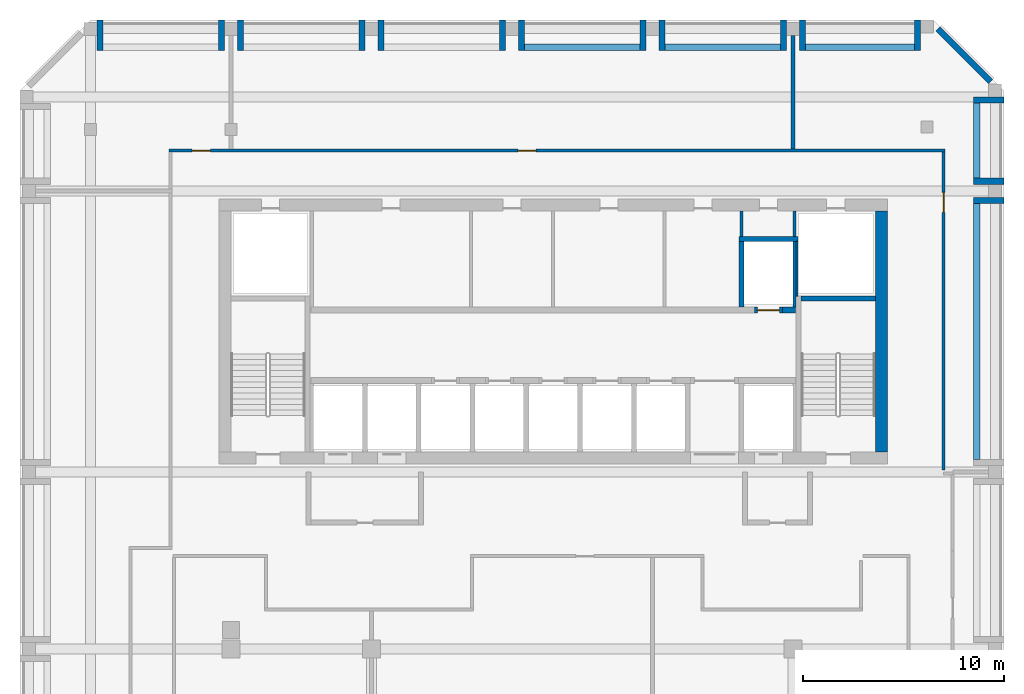
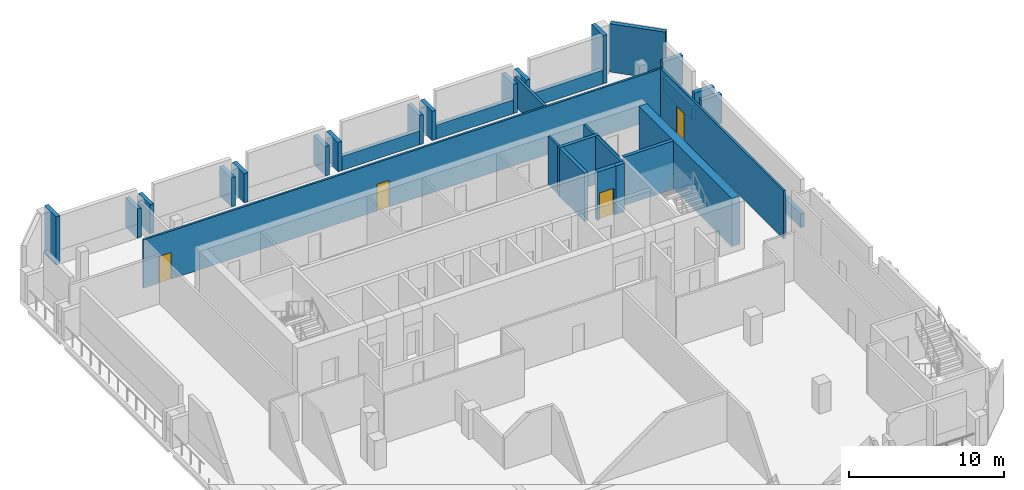
# One storey, part 5 of 7: 34 walls, 4 doors, 4 openings.
"""IFC4 building model written with IfcOpenShell, lengths in metres."""

from ifc_helpers import new_model, si_unit, direction, frame, frame_2d, origin, place, context, subcontext, project, spatial, rectangle, extrude, source, transform, mapped, material, layer, layer_set, type_object, element, fill, save


model = new_model("IFC4")

# Units and contexts
model_context = context("Model", 3, precision=1e-05, world=origin(), true_north=direction((0.0, 1.0)))
body_context = subcontext(model_context, "Body", "Model", "MODEL_VIEW")
ifc_project = project(units=[si_unit("LENGTHUNIT", "METRE"), si_unit("AREAUNIT", "SQUARE_METRE"), si_unit("VOLUMEUNIT", "CUBIC_METRE"), si_unit("PLANEANGLEUNIT", "RADIAN"), si_unit("MASSUNIT", "GRAM", prefix="KILO")], contexts=[model_context])

# Site, building, storey
site_placement = place(None, origin())
site = spatial("IfcSite", under=ifc_project, at=site_placement, CompositionType="ELEMENT")
building_placement = place(site_placement, origin())
building = spatial("IfcBuilding", under=site, at=building_placement, Name="Kilnfold Tower and Market Hall", CompositionType="ELEMENT")
storey_placement = place(building_placement, frame((0.0, 0.0, 290.800048828125)))
storey = spatial("IfcBuildingStorey", under=building, at=storey_placement, Name="L72 Plant Transfer Level", CompositionType="ELEMENT", Elevation=290.800048828125)

# Wall, opening, door
ifc_material_1 = material(Name="Gypsum board on steel studs", Category="steel")
ifc_layer_1 = layer(ifc_material_1, 0.14990234375)
ifc_layer_set_1 = layer_set([ifc_layer_1], Name="Gypsum board on steel studs")
wall_type_1 = type_object("IfcWallType", Name="WALL CORRIDOR 150", PredefinedType="PARTITIONING", material=ifc_layer_set_1)
wall_1_placement = place(storey_placement, frame((20.5, 8.090087890625, 0.0), z_axis=(0.0, 0.0, 1.0), x_axis=(0.0, 1.0, 0.0)))
wall_1 = element("IfcWall", 1, at=wall_1_placement, inside=storey, type_object=wall_type_1, Name="Partition LY44.22", PredefinedType="PARTITIONING", context=body_context, shape_type="SweptSolid", body=[
    extrude(rectangle(XDim=15.8349609375, YDim=0.14990234375, at=frame_2d((7.91748046875, 0.0))), origin(), (0.0, 0.0, 1.0), 3.800048828125),
])
opening_1_placement = place(wall_1_placement, frame((12.8310546875, 0.0, 0.0)))
opening_1 = element("IfcOpeningElement", 2, at=opening_1_placement, cuts=wall_1, Name="Opening D4", PredefinedType="OPENING", context=body_context, shape_type="SweptSolid", body=[
    extrude(rectangle(XDim=1.0, YDim=2.10009765625, at=frame_2d((0.5, 1.050048828125))), frame((0.0, 0.0849609375, 0.0), z_axis=(0.0, -1.0, 0.0), x_axis=(1.0, 0.0, 0.0)), (0.0, 0.0, 1.0), 0.169921875),
])
ifc_material_2 = material(Name="Timber veneer door leaf in steel frame", Category="steel")
door_type_1 = type_object("IfcDoorType", Name="DOOR SERVICE 1000 X2100", OperationType="NOTDEFINED", PredefinedType="DOOR", material=ifc_material_2)
door_1_placement = place(opening_1_placement, origin())
door_1 = element("IfcDoor", 3, at=door_1_placement, inside=storey, type_object=door_type_1, Name="Door D4", OperationType="SINGLE_SWING_LEFT", OverallHeight=2.10009765625, OverallWidth=1.0, PredefinedType="DOOR", context=body_context, shape_type="SweptSolid", body=[
    extrude(rectangle(XDim=1.0, YDim=2.10009765625, at=frame_2d((0.5, 1.050048828125))), frame((0.0, 0.02490234375, 0.0), z_axis=(0.0, -1.0, 0.0), x_axis=(1.0, 0.0, 0.0)), (0.0, 0.0, 1.0), 0.050048828125),
])
fill(opening_1, door_1)

# Wall, openings, doors
wall_2_placement = place(storey_placement, frame((-18.074951171875, 24.0, 0.0), z_axis=(0.0, 0.0, 1.0), x_axis=(1.0, 0.0, 0.0)))
wall_2 = element("IfcWall", 4, at=wall_2_placement, inside=storey, type_object=wall_type_1, Name="Partition LY44.24", PredefinedType="PARTITIONING", context=body_context, shape_type="SweptSolid", body=[
    extrude(rectangle(XDim=38.64990234375, YDim=0.14990234375, at=frame_2d((19.324951171875, 0.0))), origin(), (0.0, 0.0, 1.0), 3.800048828125),
])
opening_2_placement = place(wall_2_placement, frame((1.14501953125, 0.0, 0.0)))
opening_2 = element("IfcOpeningElement", 5, at=opening_2_placement, cuts=wall_2, Name="Opening D2", PredefinedType="OPENING", context=body_context, shape_type="SweptSolid", body=[
    extrude(rectangle(XDim=0.89990234375, YDim=2.10009765625, at=frame_2d((0.449951171875, 1.050048828125))), frame((0.0, 0.0849609375, 0.0), z_axis=(0.0, -1.0, 0.0), x_axis=(1.0, 0.0, 0.0)), (0.0, 0.0, 1.0), 0.169921875),
])
opening_3_placement = place(wall_2_placement, frame((17.3759765625, 0.0, 0.0)))
opening_3 = element("IfcOpeningElement", 6, at=opening_3_placement, cuts=wall_2, Name="Opening D2", PredefinedType="OPENING", context=body_context, shape_type="SweptSolid", body=[
    extrude(rectangle(XDim=0.89990234375, YDim=2.10009765625, at=frame_2d((0.449951171875, 1.050048828125))), frame((0.0, 0.0849609375, 0.0), z_axis=(0.0, -1.0, 0.0), x_axis=(1.0, 0.0, 0.0)), (0.0, 0.0, 1.0), 0.169921875),
])
ifc_material_3 = material(Name="Timber veneer door leaf in steel frame", Category="steel")
door_type_2 = type_object("IfcDoorType", Name="DOOR ROOM 900 X2100", OperationType="NOTDEFINED", PredefinedType="DOOR", material=ifc_material_3)
door_2_placement = place(opening_2_placement, origin())
door_2 = element("IfcDoor", 7, at=door_2_placement, inside=storey, type_object=door_type_2, Name="Door D2", OperationType="SINGLE_SWING_LEFT", OverallHeight=2.10009765625, OverallWidth=0.89990234375, PredefinedType="DOOR", context=body_context, shape_type="SweptSolid", body=[
    extrude(rectangle(XDim=0.89990234375, YDim=2.10009765625, at=frame_2d((0.449951171875, 1.050048828125))), frame((0.0, 0.02490234375, 0.0), z_axis=(0.0, -1.0, 0.0), x_axis=(1.0, 0.0, 0.0)), (0.0, 0.0, 1.0), 0.050048828125),
])
fill(opening_2, door_2)
door_3_placement = place(opening_3_placement, origin())
door_3 = element("IfcDoor", 8, at=door_3_placement, inside=storey, type_object=door_type_2, Name="Door D2", OperationType="SINGLE_SWING_LEFT", OverallHeight=2.10009765625, OverallWidth=0.89990234375, PredefinedType="DOOR", context=body_context, shape_type="SweptSolid", body=[
    extrude(rectangle(XDim=0.89990234375, YDim=2.10009765625, at=frame_2d((0.449951171875, 1.050048828125))), frame((0.0, 0.02490234375, 0.0), z_axis=(0.0, -1.0, 0.0), x_axis=(1.0, 0.0, 0.0)), (0.0, 0.0, 1.0), 0.050048828125),
])
fill(opening_3, door_3)

# Walls
ifc_material_4 = material(Name="Gypsum board on steel studs", Category="steel")
ifc_layer_2 = layer(ifc_material_4, 0.199951171875)
ifc_layer_set_2 = layer_set([ifc_layer_2], Name="Gypsum board on steel studs")
wall_type_2 = type_object("IfcWallType", Name="WALL PARTY 200", PredefinedType="PARTITIONING", material=ifc_layer_set_2)
wall_3_placement = place(storey_placement, frame((13.0, 29.72509765625, 0.0), z_axis=(0.0, 0.0, 1.0), x_axis=(0.0, -1.0, 0.0)))
element("IfcWall", 9, at=wall_3_placement, inside=storey, type_object=wall_type_2, Name="Partition LY44.37", PredefinedType="PARTITIONING", context=body_context, shape_type="SweptSolid", body=[
    extrude(rectangle(XDim=5.648193359375, YDim=0.199951171875, at=frame_2d((2.82421875, 0.0))), origin(), (0.0, 0.0, 1.0), 2.300048828125),
])
ifc_material_5 = material(Name="Concrete C50", Category="concrete")
ifc_layer_3 = layer(ifc_material_5, 0.25)
ifc_layer_set_3 = layer_set([ifc_layer_3], Name="Concrete C50")
wall_type_3 = type_object("IfcWallType", Name="CORE WALL 250 C50", PredefinedType="SHEAR", material=ifc_layer_set_3)
shared_shape_1 = source(origin(), body_context, "Body", "SweptSolid", [
    extrude(rectangle(XDim=3.7001953125, YDim=0.25, at=frame_2d((1.85009765625, 0.0))), origin(), (0.0, 0.0, 1.0), 3.800048828125),
])
wall_4_placement = place(storey_placement, frame((13.39990234375, 16.625, 0.0), z_axis=(0.0, 0.0, 1.0), x_axis=(1.0, 0.0, 0.0)))
element("IfcWall", 10, at=wall_4_placement, inside=storey, type_object=wall_type_3, Name="Stair enclosure ST2", PredefinedType="SHEAR", context=body_context, shape_type="MappedRepresentation", body=[
    mapped(shared_shape_1, transform((0.0, 0.0, 0.0))),
])
ifc_material_6 = material(Name="Concrete C50", Category="concrete")
ifc_layer_4 = layer(ifc_material_6, 0.300048828125)
ifc_layer_set_4 = layer_set([ifc_layer_4], Name="Concrete C50")
wall_type_4 = type_object("IfcWallType", Name="CORE WALL 300 C50", PredefinedType="SHEAR", material=ifc_layer_set_4)
shared_shape_2 = source(origin(), body_context, "Body", "SweptSolid", [
    extrude(rectangle(XDim=0.64013671875, YDim=0.300048828125, at=frame_2d((0.320068359375, 0.0))), origin(), (0.0, 0.0, 1.0), 3.800048828125),
])
wall_5_placement = place(storey_placement, frame((12.469970703125, 16.050048828125, 0.0), z_axis=(0.0, 0.0, 1.0), x_axis=(1.0, 0.0, 0.0)))
element("IfcWall", 11, at=wall_5_placement, inside=storey, type_object=wall_type_4, Name="Core spine wall", PredefinedType="SHEAR", context=body_context, shape_type="MappedRepresentation", body=[
    mapped(shared_shape_2, transform((0.0, 0.0, 0.0))),
])
ifc_material_7 = material(Name="Concrete C50", Category="concrete")
ifc_layer_5 = layer(ifc_material_7, 0.60009765625)
ifc_layer_set_5 = layer_set([ifc_layer_5], Name="Concrete C50")
wall_type_5 = type_object("IfcWallType", Name="CORE WALL 600 C50", PredefinedType="SHEAR", material=ifc_layer_set_5)
shared_shape_3 = source(origin(), body_context, "Body", "SweptSolid", [
    extrude(rectangle(XDim=12.0, YDim=0.60009765625, at=frame_2d((6.0, 0.0))), origin(), (0.0, 0.0, 1.0), 3.800048828125),
])
wall_6_placement = place(storey_placement, frame((17.39990234375, 9.0, 0.0), z_axis=(0.0, 0.0, 1.0), x_axis=(0.0, 1.0, 0.0)))
element("IfcWall", 12, at=wall_6_placement, inside=storey, type_object=wall_type_5, Name="Core outer wall east", PredefinedType="SHEAR", context=body_context, shape_type="MappedRepresentation", body=[
    mapped(shared_shape_3, transform((0.0, 0.0, 0.0))),
])
ifc_material_8 = material(Name="Precast concrete C50/60", Category="concrete")
ifc_layer_6 = layer(ifc_material_8, 0.300048828125)
ifc_layer_set_6 = layer_set([ifc_layer_6], Name="Precast concrete C50/60")
wall_type_6 = type_object("IfcWallType", Name="PRECAST WALL 300", PredefinedType="SOLIDWALL", material=ifc_layer_set_6)
shared_shape_4 = source(origin(), body_context, "Body", "SweptSolid", [
    extrude(rectangle(XDim=1.5, YDim=0.300048828125, at=frame_2d((0.75, 0.0))), origin(), (0.0, 0.0, 1.0), 2.300048828125),
])
for number, where, z_axis, x_axis, name in (
    (13, (23.5, 21.52490234375, 0.0), (0.0, 0.0, 1.0), (-1.0, 0.0, 0.0), "Plant wall L72 E"),
    (14, (23.5, 22.47509765625, 0.0), (0.0, 0.0, 1.0), (-1.0, 0.0, 0.0), "Plant wall L72 E"),
    (15, (23.5, 26.52490234375, 0.0), (0.0, 0.0, 1.0), (-1.0, 0.0, 0.0), "Plant wall L72 E"),
    (16, (13.47509765625, 30.5, 0.0), (0.0, 0.0, 1.0), (0.0, -1.0, 0.0), "Plant wall L72 N"),
    (17, (12.52490234375, 30.5, 0.0), (0.0, 0.0, 1.0), (0.0, -1.0, 0.0), "Plant wall L72 N"),
    (18, (6.47509765625, 30.5, 0.0), (0.0, 0.0, 1.0), (0.0, -1.0, 0.0), "Plant wall L72 N"),
    (19, (5.52490234375, 30.5, 0.0), (0.0, 0.0, 1.0), (0.0, -1.0, 0.0), "Plant wall L72 N"),
    (20, (-0.52490234375, 30.5, 0.0), (0.0, 0.0, 1.0), (0.0, -1.0, 0.0), "Plant wall L72 N"),
    (21, (-1.47509765625, 30.5, 0.0), (0.0, 0.0, 1.0), (0.0, -1.0, 0.0), "Plant wall L72 N"),
    (22, (-7.52490234375, 30.5, 0.0), (0.0, 0.0, 1.0), (0.0, -1.0, 0.0), "Plant wall L72 N"),
    (23, (-8.47509765625, 30.5, 0.0), (0.0, 0.0, 1.0), (0.0, -1.0, 0.0), "Plant wall L72 N"),
    (24, (-14.52490234375, 30.5, 0.0), (0.0, 0.0, 1.0), (0.0, -1.0, 0.0), "Plant wall L72 N"),
    (25, (-15.47509765625, 30.5, 0.0), (0.0, 0.0, 1.0), (0.0, -1.0, 0.0), "Plant wall L72 N"),
):
    element("IfcWall", number, at=place(storey_placement, frame(where, z_axis=z_axis, x_axis=x_axis)), inside=storey, type_object=wall_type_6, Name=name, PredefinedType="SOLIDWALL", context=body_context, shape_type="MappedRepresentation", body=[
        mapped(shared_shape_4, transform((0.0, 0.0, 0.0))),
    ])
shared_shape_5 = source(origin(), body_context, "Body", "SweptSolid", [
    extrude(rectangle(XDim=1.5, YDim=0.300048828125, at=frame_2d((0.75, 0.0))), origin(), (0.0, 0.0, 1.0), 3.800048828125),
])
for number, where, z_axis, x_axis, name in (
    (26, (19.206787109375, 30.5, 0.0), (0.0, 0.0, 1.0), (0.0, -1.0, 0.0), "Plant wall L72 N"),
    (27, (-21.52490234375, 30.5, 0.0), (0.0, 0.0, 1.0), (0.0, -1.0, 0.0), "Plant wall L72 N"),
):
    element("IfcWall", number, at=place(storey_placement, frame(where, z_axis=z_axis, x_axis=x_axis)), inside=storey, type_object=wall_type_6, Name=name, PredefinedType="SOLIDWALL", context=body_context, shape_type="MappedRepresentation", body=[
        mapped(shared_shape_5, transform((0.0, 0.0, 0.0))),
    ])
shared_shape_6 = source(origin(), body_context, "Body", "SweptSolid", [
    extrude(rectangle(XDim=5.75, YDim=0.300048828125, at=frame_2d((2.875, 0.0))), origin(), (0.0, 0.0, 1.0), 1.099853515625),
])
for number, where, z_axis, x_axis, name in (
    (28, (12.375, 29.14990234375, 0.0), (0.0, 0.0, 1.0), (-1.0, 0.0, 0.0), "Knee wall L72 N"),
    (29, (5.375, 29.14990234375, 0.0), (0.0, 0.0, 1.0), (-1.0, 0.0, 0.0), "Knee wall L72 N"),
):
    element("IfcWall", number, at=place(storey_placement, frame(where, z_axis=z_axis, x_axis=x_axis)), inside=storey, type_object=wall_type_6, Name=name, PredefinedType="SOLIDWALL", context=body_context, shape_type="MappedRepresentation", body=[
        mapped(shared_shape_6, transform((0.0, 0.0, 0.0))),
    ])
shared_shape_7 = source(origin(), body_context, "Body", "SweptSolid", [
    extrude(rectangle(XDim=12.75, YDim=0.300048828125, at=frame_2d((6.375, 0.0))), origin(), (0.0, 0.0, 1.0), 1.099853515625),
])
wall_7_placement = place(storey_placement, frame((22.14990234375, 8.625, 0.0), z_axis=(0.0, 0.0, 1.0), x_axis=(0.0, 1.0, 0.0)))
element("IfcWall", 30, at=wall_7_placement, inside=storey, type_object=wall_type_6, Name="Knee wall L72 E", PredefinedType="SOLIDWALL", context=body_context, shape_type="MappedRepresentation", body=[
    mapped(shared_shape_7, transform((0.0, 0.0, 0.0))),
])
shared_shape_8 = source(origin(), body_context, "Body", "SweptSolid", [
    extrude(rectangle(XDim=3.75, YDim=0.300048828125, at=frame_2d((1.875, 0.0))), origin(), (0.0, 0.0, 1.0), 1.099853515625),
])
wall_8_placement = place(storey_placement, frame((22.14990234375, 22.625, 0.0), z_axis=(0.0, 0.0, 1.0), x_axis=(0.0, 1.0, 0.0)))
element("IfcWall", 31, at=wall_8_placement, inside=storey, type_object=wall_type_6, Name="Knee wall L72 E", PredefinedType="SOLIDWALL", context=body_context, shape_type="MappedRepresentation", body=[
    mapped(shared_shape_8, transform((0.0, 0.0, 0.0))),
])
shared_shape_9 = source(origin(), body_context, "Body", "SweptSolid", [
    extrude(rectangle(XDim=3.71240234375, YDim=0.300048828125, at=frame_2d((1.856201171875, 0.0))), origin(), (0.0, 0.0, 1.0), 3.800048828125),
])
wall_9_placement = place(storey_placement, frame((22.843994140625, 27.44384765625, 0.0), z_axis=(0.0, 0.0, 1.0), x_axis=(-0.707106781187, 0.707106781187, 0.0)))
element("IfcWall", 32, at=wall_9_placement, inside=storey, type_object=wall_type_6, Name="Plant wall L72 NE", PredefinedType="SOLIDWALL", context=body_context, shape_type="MappedRepresentation", body=[
    mapped(shared_shape_9, transform((0.0, 0.0, 0.0))),
])
shared_shape_10 = source(origin(), body_context, "Body", "SweptSolid", [
    extrude(rectangle(XDim=5.431884765625, YDim=0.300048828125, at=frame_2d((2.7158203125, 0.0))), origin(), (0.0, 0.0, 1.0), 1.099853515625),
])
wall_10_placement = place(storey_placement, frame((19.056884765625, 29.14990234375, 0.0), z_axis=(0.0, 0.0, 1.0), x_axis=(-1.0, 0.0, 0.0)))
element("IfcWall", 33, at=wall_10_placement, inside=storey, type_object=wall_type_6, Name="Knee wall L72 N", PredefinedType="SOLIDWALL", context=body_context, shape_type="MappedRepresentation", body=[
    mapped(shared_shape_10, transform((0.0, 0.0, 0.0))),
])

# Wall, opening, door
ifc_material_9 = material(Name="Gypsum shaft wall system")
ifc_layer_7 = layer(ifc_material_9, 0.300048828125)
ifc_layer_set_7 = layer_set([ifc_layer_7], Name="Gypsum shaft wall system")
wall_type_7 = type_object("IfcWallType", Name="SHAFT WALL 300", PredefinedType="PARTITIONING", material=ifc_layer_set_7)
shared_shape_11 = source(origin(), body_context, "Body", "SweptSolid", [
    extrude(rectangle(XDim=1.39990234375, YDim=0.300048828125, at=frame_2d((0.699951171875, 0.0))), origin(), (0.0, 0.0, 1.0), 3.800048828125),
])
wall_11_placement = place(storey_placement, frame((11.070068359375, 16.050048828125, 0.0), z_axis=(0.0, 0.0, 1.0), x_axis=(1.0, 0.0, 0.0)))
wall_11 = element("IfcWall", 34, at=wall_11_placement, inside=storey, type_object=wall_type_7, Name="Lift shaft front wall", PredefinedType="PARTITIONING", context=body_context, shape_type="MappedRepresentation", body=[
    mapped(shared_shape_11, transform((0.0, 0.0, 0.0))),
])
opening_4_placement = place(wall_11_placement, frame((0.14990234375, 0.0, 0.0)))
opening_4 = element("IfcOpeningElement", 35, at=opening_4_placement, cuts=wall_11, Name="Opening LD2", PredefinedType="OPENING", context=body_context, shape_type="SweptSolid", body=[
    extrude(rectangle(XDim=1.10009765625, YDim=2.10009765625, at=frame_2d((0.550048828125, 1.050048828125))), frame((0.0, 0.16015625, 0.0), z_axis=(0.0, -1.0, 0.0), x_axis=(1.0, 0.0, 0.0)), (0.0, 0.0, 1.0), 0.320068359375),
])
ifc_material_10 = material(Name="Steel door set with fire-resisting leaf", Category="steel")
door_type_3 = type_object("IfcDoorType", Name="LANDING DOOR 1100X2100", OperationType="NOTDEFINED", PredefinedType="DOOR", material=ifc_material_10)
door_4_placement = place(opening_4_placement, origin())
door_4 = element("IfcDoor", 36, at=door_4_placement, inside=storey, type_object=door_type_3, Name="Landing door HR6", OperationType="DOUBLE_DOOR_SLIDING", OverallHeight=2.10009765625, OverallWidth=1.10009765625, PredefinedType="DOOR", context=body_context, shape_type="SweptSolid", body=[
    extrude(rectangle(XDim=1.10009765625, YDim=2.10009765625, at=frame_2d((0.550048828125, 1.050048828125))), frame((0.0, 0.02490234375, 0.0), z_axis=(0.0, -1.0, 0.0), x_axis=(1.0, 0.0, 0.0)), (0.0, 0.0, 1.0), 0.050048828125),
])
fill(opening_4, door_4)

# Walls
ifc_material_11 = material(Name="Gypsum shaft wall system")
ifc_layer_8 = layer(ifc_material_11, 0.1650390625)
ifc_layer_set_8 = layer_set([ifc_layer_8], Name="Gypsum shaft wall system")
wall_type_8 = type_object("IfcWallType", Name="SHAFT WALL 165", PredefinedType="PARTITIONING", material=ifc_layer_set_8)
shared_shape_12 = source(origin(), body_context, "Body", "SweptSolid", [
    extrude(rectangle(XDim=3.275146484375, YDim=0.1650390625, at=frame_2d((1.6376953125, 0.0))), origin(), (0.0, 0.0, 1.0), 3.800048828125),
])
wall_12_placement = place(storey_placement, frame((13.0673828125, 16.199951171875, 0.0), z_axis=(0.0, 0.0, 1.0), x_axis=(0.0, 1.0, 0.0)))
element("IfcWall", 37, at=wall_12_placement, inside=storey, type_object=wall_type_8, Name="Lift shaft wall", PredefinedType="PARTITIONING", context=body_context, shape_type="MappedRepresentation", body=[
    mapped(shared_shape_12, transform((0.0, 0.0, 0.0))),
])
shared_shape_13 = source(origin(), body_context, "Body", "SweptSolid", [
    extrude(rectangle(XDim=1.27490234375, YDim=0.1650390625, at=frame_2d((0.637451171875, 0.0))), origin(), (0.0, 0.0, 1.0), 3.800048828125),
])
wall_13_placement = place(storey_placement, frame((13.0673828125, 19.72509765625, 0.0), z_axis=(0.0, 0.0, 1.0), x_axis=(0.0, 1.0, 0.0)))
element("IfcWall", 38, at=wall_13_placement, inside=storey, type_object=wall_type_8, Name="Lift shaft wall", PredefinedType="PARTITIONING", context=body_context, shape_type="MappedRepresentation", body=[
    mapped(shared_shape_13, transform((0.0, 0.0, 0.0))),
])
ifc_material_12 = material(Name="Gypsum shaft wall system")
ifc_layer_9 = layer(ifc_material_12, 0.25)
ifc_layer_set_9 = layer_set([ifc_layer_9], Name="Gypsum shaft wall system")
wall_type_9 = type_object("IfcWallType", Name="SHAFT WALL 250", PredefinedType="PARTITIONING", material=ifc_layer_set_9)
shared_shape_14 = source(origin(), body_context, "Body", "SweptSolid", [
    extrude(rectangle(XDim=3.275146484375, YDim=0.25, at=frame_2d((1.6376953125, 0.0))), origin(), (0.0, 0.0, 1.0), 3.800048828125),
])
wall_14_placement = place(storey_placement, frame((10.429931640625, 16.199951171875, 0.0), z_axis=(0.0, 0.0, 1.0), x_axis=(0.0, 1.0, 0.0)))
element("IfcWall", 39, at=wall_14_placement, inside=storey, type_object=wall_type_9, Name="Lift shaft wall", PredefinedType="PARTITIONING", context=body_context, shape_type="MappedRepresentation", body=[
    mapped(shared_shape_14, transform((0.0, 0.0, 0.0))),
])
ifc_material_13 = material(Name="Gypsum shaft wall system")
ifc_layer_10 = layer(ifc_material_13, 0.0849609375)
ifc_layer_set_10 = layer_set([ifc_layer_10], Name="Gypsum shaft wall system")
wall_type_10 = type_object("IfcWallType", Name="SHAFT WALL 85", PredefinedType="PARTITIONING", material=ifc_layer_set_10)
shared_shape_15 = source(origin(), body_context, "Body", "SweptSolid", [
    extrude(rectangle(XDim=2.72509765625, YDim=0.0849609375, at=frame_2d((1.362548828125, 0.0))), origin(), (0.0, 0.0, 1.0), 3.800048828125),
])
wall_15_placement = place(storey_placement, frame((13.1923828125, 16.75, 0.0), z_axis=(0.0, 0.0, 1.0), x_axis=(0.0, 1.0, 0.0)))
element("IfcWall", 40, at=wall_15_placement, inside=storey, type_object=wall_type_10, Name="Lift shaft wall", PredefinedType="PARTITIONING", context=body_context, shape_type="MappedRepresentation", body=[
    mapped(shared_shape_15, transform((0.0, 0.0, 0.0))),
])
ifc_material_14 = material(Name="Gypsum shaft wall system")
ifc_layer_11 = layer(ifc_material_14, 0.14990234375)
ifc_layer_set_11 = layer_set([ifc_layer_11], Name="Gypsum shaft wall system")
wall_type_11 = type_object("IfcWallType", Name="ROOM WALL 150", PredefinedType="PARTITIONING", material=ifc_layer_set_11)
shared_shape_16 = source(origin(), body_context, "Body", "SweptSolid", [
    extrude(rectangle(XDim=1.27490234375, YDim=0.14990234375, at=frame_2d((0.637451171875, 0.0))), origin(), (0.0, 0.0, 1.0), 3.800048828125),
])
wall_16_placement = place(storey_placement, frame((10.429931640625, 19.72509765625, 0.0), z_axis=(0.0, 0.0, 1.0), x_axis=(0.0, 1.0, 0.0)))
element("IfcWall", 41, at=wall_16_placement, inside=storey, type_object=wall_type_11, Name="Core room wall", PredefinedType="PARTITIONING", context=body_context, shape_type="MappedRepresentation", body=[
    mapped(shared_shape_16, transform((0.0, 0.0, 0.0))),
])
shared_shape_17 = source(origin(), body_context, "Body", "SweptSolid", [
    extrude(rectangle(XDim=2.93017578125, YDim=0.25, at=frame_2d((1.465087890625, 0.0))), origin(), (0.0, 0.0, 1.0), 3.800048828125),
])
wall_17_placement = place(storey_placement, frame((10.304931640625, 19.60009765625, 0.0), z_axis=(0.0, 0.0, 1.0), x_axis=(1.0, 0.0, 0.0)))
element("IfcWall", 42, at=wall_17_placement, inside=storey, type_object=wall_type_9, Name="Lift shaft wall", PredefinedType="PARTITIONING", context=body_context, shape_type="MappedRepresentation", body=[
    mapped(shared_shape_17, transform((0.0, 0.0, 0.0))),
])

save(model, "model.ifc")
